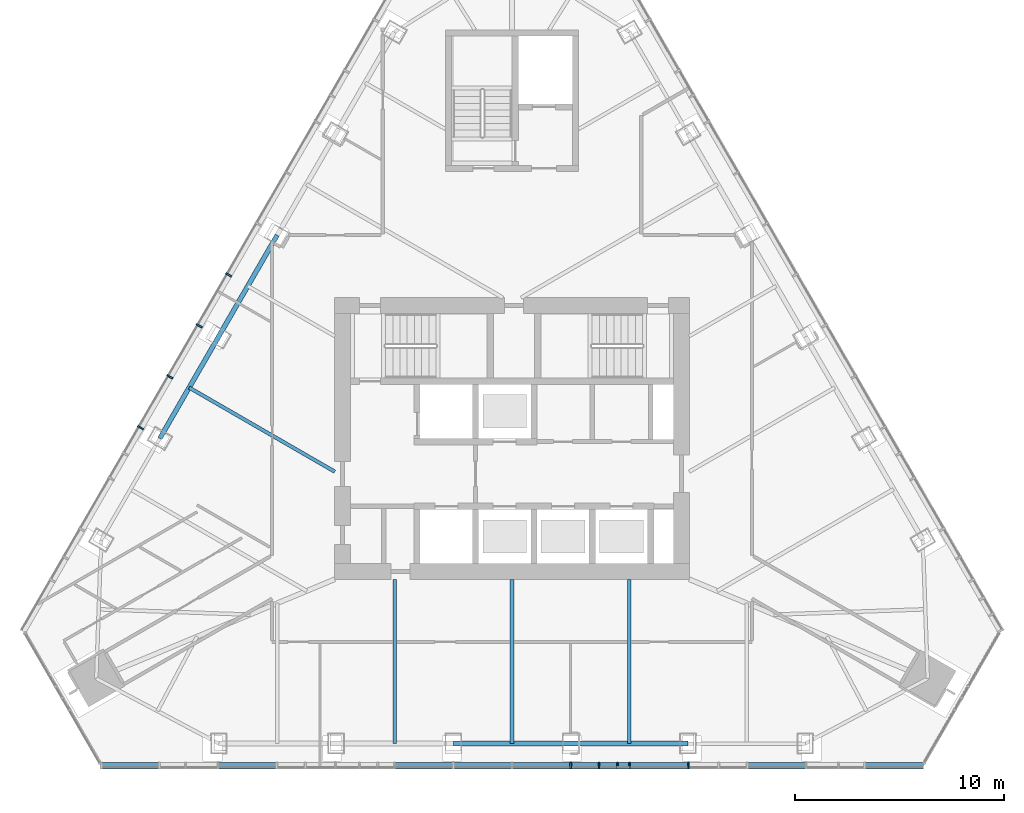
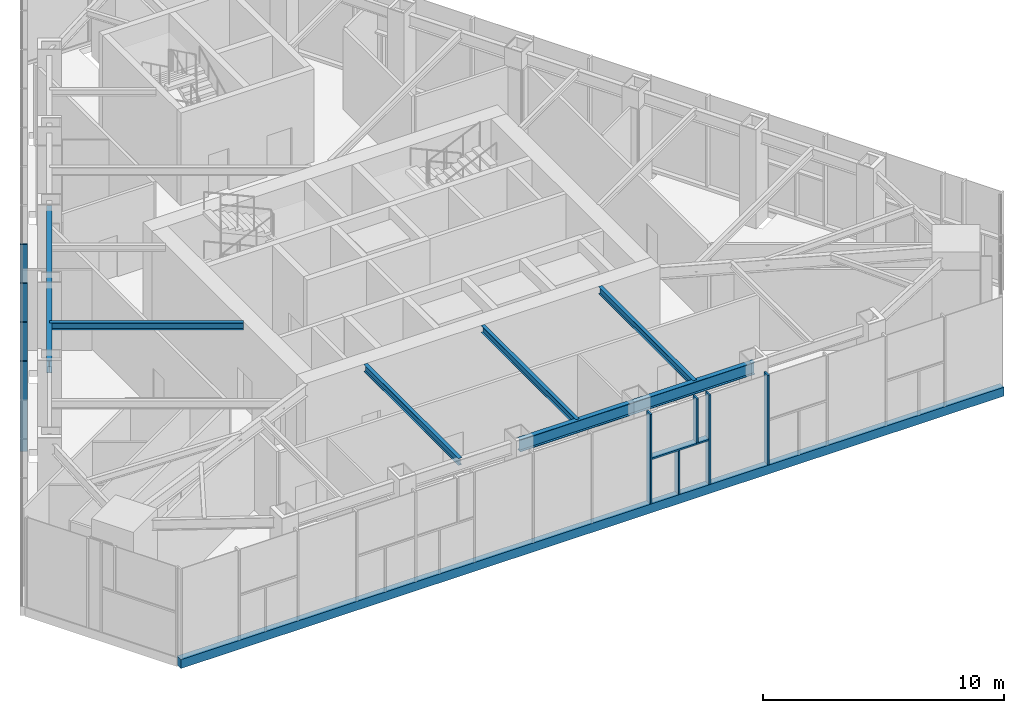
# One storey, part 3 of 17: 11 members, 6 beams, 2 elements without a shape of their own.
"""IFC4 building model written with IfcOpenShell, lengths in metres."""

import ifcopenshell
import ifcopenshell.guid

model = None  # the IFC model being written
_history = None  # IfcOwnerHistory: only IFC2X3 demands one
_inside = {}  # id of a spatial element -> (the spatial element, [elements in it])
_under = {}  # id of a project, library or spatial element -> (it, [spatial elements below it])
_declared = {}  # id of a project -> (the project, [libraries it declares])
_typed = {}  # id of a type object -> (the type object, [elements of that type])
_made_of = {}  # id of a material, layer set ... -> (it, [elements and type objects made of it])


def new_model(schema):
    """Start an empty IFC model of exactly this schema.

    Asked for "IFC4X3", IfcOpenShell would pick the latest addendum, in which some entities
    have other attributes; the version numbers below select the first issue.
    IFC2X3 requires an IfcOwnerHistory on every rooted entity: one is made here for all.
    """
    global model, _history
    if schema == "IFC4X3":
        model = ifcopenshell.file(schema_version=(4, 3, 0, 0))
    else:
        model = ifcopenshell.file(schema=schema)
    _inside.clear()
    _under.clear()
    _declared.clear()
    _typed.clear()
    _made_of.clear()
    _history = None
    if model.schema == "IFC2X3":
        org = make("IfcOrganization", Name="unknown")
        user = make(
            "IfcPersonAndOrganization",
            ThePerson=make("IfcPerson", FamilyName="unknown"),
            TheOrganization=org,
        )
        app = make(
            "IfcApplication",
            ApplicationDeveloper=org,
            Version="unknown",
            ApplicationFullName="unknown",
            ApplicationIdentifier="unknown",
        )
        _history = make(
            "IfcOwnerHistory",
            OwningUser=user,
            OwningApplication=app,
            ChangeAction="ADDED",
            CreationDate=0,
        )
    return model


def make(cls, **values):
    """One entity of the class cls with the attributes given. An attribute that is None is left unset."""
    return model.create_entity(
        cls, **{name: value for name, value in values.items() if value is not None}
    )


def rooted(cls, **values):
    """An entity with a GlobalId (a new one), such as an element, a storey or a relation."""
    return make(cls, GlobalId=ifcopenshell.guid.new(), OwnerHistory=_history, **values)


def si_unit(unit_type, name, prefix=None):
    """IfcSIUnit, for example si_unit("LENGTHUNIT", "METRE", prefix="MILLI")."""
    return make("IfcSIUnit", UnitType=unit_type, Prefix=prefix, Name=name)


def assignment(units):
    """IfcUnitAssignment: the units of a project."""
    return None if units is None else make("IfcUnitAssignment", Units=units)


def point(xyz):
    """IfcCartesianPoint."""
    return None if xyz is None else make("IfcCartesianPoint", Coordinates=xyz)


def direction(xyz):
    """IfcDirection."""
    return None if xyz is None else make("IfcDirection", DirectionRatios=xyz)


def frame(location, z_axis=None, x_axis=None):
    """IfcAxis2Placement3D, a coordinate frame: its origin and axes. An axis left out is left unset."""
    return make(
        "IfcAxis2Placement3D",
        Location=point(location),
        Axis=direction(z_axis),
        RefDirection=direction(x_axis),
    )


def frame_2d(location, x_axis=None):
    """IfcAxis2Placement2D, a coordinate frame in the plane: its origin and x axis."""
    return make(
        "IfcAxis2Placement2D", Location=point(location), RefDirection=direction(x_axis)
    )


def origin():
    """The frame at (0, 0, 0) with its axes left unset."""
    return frame((0.0, 0.0, 0.0))


def origin_2d():
    """The frame at (0, 0) in the plane with its x axis left unset."""
    return frame_2d((0.0, 0.0))


def place(relative_to, where):
    """IfcLocalPlacement: puts the frame where relative to a parent placement (None: the world)."""
    return make(
        "IfcLocalPlacement", PlacementRelTo=relative_to, RelativePlacement=where
    )


def context(
    kind, dimensions, precision=None, world=None, true_north=None, identifier=None
):
    """IfcGeometricRepresentationContext, for example the 3D "Model" context."""
    return make(
        "IfcGeometricRepresentationContext",
        ContextIdentifier=identifier,
        ContextType=kind,
        CoordinateSpaceDimension=dimensions,
        Precision=precision,
        WorldCoordinateSystem=world,
        TrueNorth=true_north,
    )


def subcontext(parent, identifier, kind, view, scale=None):
    """IfcGeometricRepresentationSubContext, for example "Body" below "Model"."""
    return make(
        "IfcGeometricRepresentationSubContext",
        ContextIdentifier=identifier,
        ContextType=kind,
        ParentContext=parent,
        TargetScale=scale,
        TargetView=view,
    )


def project(units=None, contexts=None):
    """IfcProject with its units and contexts."""
    return rooted(
        "IfcProject",
        Name="project",
        RepresentationContexts=contexts,
        UnitsInContext=assignment(units),
    )


def spatial(cls, under=None, at=None, **own):
    """A site, building, storey or space (cls), placed at a placement, below another one or the project."""
    s = rooted(cls, ObjectPlacement=at, **own)
    if under is not None:
        _under.setdefault(under.id(), (under, []))[1].append(s)
    return s


def profile(cls, at=None, kind="AREA", **sizes):
    """A parametric profile (cls). Its sizes go by their IFC names, for example OverallWidth=200.0."""
    return make(cls, ProfileType=kind, Position=at, **sizes)


def rectangle(**sizes):
    """IfcRectangleProfileDef."""
    return profile("IfcRectangleProfileDef", **sizes)


def i_section(**sizes):
    """IfcIShapeProfileDef."""
    return profile("IfcIShapeProfileDef", **sizes)


def extrude(swept, where, along, depth):
    """IfcExtrudedAreaSolid: the profile swept, set in the frame where, extruded along a direction by depth."""
    return make(
        "IfcExtrudedAreaSolid",
        SweptArea=swept,
        Position=where,
        ExtrudedDirection=direction(along),
        Depth=depth,
    )


def shape(context_of_items, identifier, shape_type, items):
    """IfcShapeRepresentation: the items that make up one representation, for example the "Body"."""
    return make(
        "IfcShapeRepresentation",
        ContextOfItems=context_of_items,
        RepresentationIdentifier=identifier,
        RepresentationType=shape_type,
        Items=items,
    )


def material(Name=None, Category=None):
    """IfcMaterial."""
    return make("IfcMaterial", Name=Name, Category=Category)


def layer(
    of_material, thickness, ventilated=None, Name=None, Category=None, Priority=None
):
    """IfcMaterialLayer: one layer of a wall or slab, of a material (None: an air gap)."""
    return make(
        "IfcMaterialLayer",
        Material=of_material,
        LayerThickness=thickness,
        IsVentilated=ventilated,
        Name=Name,
        Category=Category,
        Priority=Priority,
    )


def layer_set(layers, Name=None):
    """IfcMaterialLayerSet."""
    return make("IfcMaterialLayerSet", MaterialLayers=layers, LayerSetName=Name)


def material_profile(
    of_material, cross_section, Name=None, Category=None, Priority=None
):
    """IfcMaterialProfile: a cross section and its material."""
    return make(
        "IfcMaterialProfile",
        Name=Name,
        Material=of_material,
        Profile=cross_section,
        Priority=Priority,
        Category=Category,
    )


def profile_set(profiles, Name=None, composite=None):
    """IfcMaterialProfileSet."""
    return make(
        "IfcMaterialProfileSet",
        Name=Name,
        MaterialProfiles=profiles,
        CompositeProfile=composite,
    )


def made_of(thing, what):
    """Note that an element or type object is made of a material, layer set ...; save() writes the relation."""
    if what is not None:
        _made_of.setdefault(what.id(), (what, []))[1].append(thing)
    return thing


def type_object(cls, material=None, **own):
    """A type object (cls), such as IfcWallType, which elements share."""
    return made_of(rooted(cls, **own), material)


def element(
    cls,
    number,
    at=None,
    inside=None,
    cuts=None,
    type_object=None,
    material=None,
    context=None,
    identifier="Body",
    shape_type=None,
    held_by="IfcProductDefinitionShape",
    body=None,
    shapes=None,
    **own,
):
    """One element of the class cls, such as IfcWall. Its Tag is "e" and its number.

    at: its placement. inside: the storey or other place that contains it. cuts: it is an
    opening in that element (IfcRelVoidsElement). A single representation is given by context,
    identifier, shape_type and body (its items); several are given by shapes. held_by: the class
    of the entity that holds the representations. save() writes the other relations.
    """
    e = rooted(cls, Tag="e%d" % number, ObjectPlacement=at, **own)
    if body is not None:
        shapes = [shape(context, identifier, shape_type, body)]
    if shapes is not None:
        e.Representation = make(held_by, Representations=shapes)
    if inside is not None:
        _inside.setdefault(inside.id(), (inside, []))[1].append(e)
    if cuts is not None:
        rooted(
            "IfcRelVoidsElement", RelatingBuildingElement=cuts, RelatedOpeningElement=e
        )
    if type_object is not None:
        _typed.setdefault(type_object.id(), (type_object, []))[1].append(e)
    return made_of(e, material)


def aggregate(whole, parts):
    """IfcRelAggregates: a whole, such as a stair, and the parts it consists of."""
    return rooted("IfcRelAggregates", RelatingObject=whole, RelatedObjects=parts)


def save(model, path):
    """Write the relations noted so far, then the file.

    IfcRelAggregates (storeys below a building ...), IfcRelContainedInSpatialStructure (elements
    in a storey), IfcRelDefinesByType, IfcRelAssociatesMaterial and IfcRelDeclares: one each for
    every whole, place, type object, material and project.
    """
    for whole, parts in _under.values():
        aggregate(whole, parts)
    for where, things in _inside.values():
        rooted(
            "IfcRelContainedInSpatialStructure",
            RelatedElements=things,
            RelatingStructure=where,
        )
    for kind, things in _typed.values():
        rooted("IfcRelDefinesByType", RelatedObjects=things, RelatingType=kind)
    for what, things in _made_of.values():
        rooted("IfcRelAssociatesMaterial", RelatedObjects=things, RelatingMaterial=what)
    for by, libraries in _declared.values():
        rooted("IfcRelDeclares", RelatingContext=by, RelatedDefinitions=libraries)
    model.write(path)


model = new_model("IFC4")

# Units and contexts
model_context = context("Model", 3, precision=1e-05, world=origin(), true_north=direction((0.0, 1.0)))
body_context = subcontext(model_context, "Body", "Model", "MODEL_VIEW")
ifc_project = project(units=[si_unit("LENGTHUNIT", "METRE"), si_unit("AREAUNIT", "SQUARE_METRE"), si_unit("VOLUMEUNIT", "CUBIC_METRE"), si_unit("PLANEANGLEUNIT", "RADIAN"), si_unit("MASSUNIT", "GRAM", prefix="KILO")], contexts=[model_context])

# Site, building, storey
site_placement = place(None, origin())
site = spatial("IfcSite", under=ifc_project, at=site_placement, CompositionType="ELEMENT")
building_placement = place(site_placement, origin())
building = spatial("IfcBuilding", under=site, at=building_placement, Name="Firuza Gate Tower and Library", CompositionType="ELEMENT")
storey_placement = place(building_placement, frame((0.0, 0.0, 326.60009765625)))
storey = spatial("IfcBuildingStorey", under=building, at=storey_placement, Name="L80", CompositionType="ELEMENT", Elevation=326.60009765625)

# Curtain wall, members
ifc_material_1 = material(Name="Aluminium 6063-T6", Category="aluminium")
ifc_layer = layer(ifc_material_1, 0.14990234375)
ifc_layer_set = layer_set([ifc_layer], Name="Unitised curtain wall, residences")
curtain_wall_type = type_object("IfcCurtainWallType", Name="Unitised curtain wall, residences", PredefinedType="NOTDEFINED", material=ifc_layer_set)
placement = place(storey_placement, origin())
curtain_wall_1 = element("IfcCurtainWall", 1, at=placement, inside=storey, type_object=curtain_wall_type, Name="CW3 L80 S face", PredefinedType="NOTDEFINED")
ifc_material_2 = material(Name="Aluminium 6063-T6", Category="aluminium")
ifc_material_profile_1 = material_profile(ifc_material_2, rectangle(XDim=0.320068359375, YDim=0.080078125, at=origin_2d()))
ifc_profile_set_1 = profile_set([ifc_material_profile_1], Name="Aluminium 6063-T6")
member_type_1 = type_object("IfcMemberType", Name="Curtain wall mullion 80x320", PredefinedType="MULLION", material=ifc_profile_set_1)
member_1_placement = place(storey_placement, frame((77.819580078125, 59.313232421875, 0.14990234375), z_axis=(0.0, 0.0, 1.0), x_axis=(0.0, 1.0, 0.0)))
member_1 = element("IfcMember", 2, at=member_1_placement, type_object=member_type_1, Name="Mullion", PredefinedType="MULLION", context=body_context, shape_type="SweptSolid", body=[
    extrude(rectangle(XDim=0.320068359375, YDim=0.080078125, at=origin_2d()), origin(), (0.0, 0.0, 1.0), 4.550048828125),
])
member_2_placement = place(storey_placement, frame((80.638916015625, 59.313232421875, 0.14990234375), z_axis=(0.0, 0.0, 1.0), x_axis=(0.0, 1.0, 0.0)))
member_2 = element("IfcMember", 3, at=member_2_placement, type_object=member_type_1, Name="Mullion", PredefinedType="MULLION", context=body_context, shape_type="SweptSolid", body=[
    extrude(rectangle(XDim=0.320068359375, YDim=0.080078125, at=origin_2d()), origin(), (0.0, 0.0, 1.0), 4.550048828125),
])
member_3_placement = place(storey_placement, frame((83.45849609375, 59.313232421875, 0.14990234375), z_axis=(0.0, 0.0, 1.0), x_axis=(0.0, 1.0, 0.0)))
member_3 = element("IfcMember", 4, at=member_3_placement, type_object=member_type_1, Name="Mullion", PredefinedType="MULLION", context=body_context, shape_type="SweptSolid", body=[
    extrude(rectangle(XDim=0.320068359375, YDim=0.080078125, at=origin_2d()), origin(), (0.0, 0.0, 1.0), 4.550048828125),
])
member_4_placement = place(storey_placement, frame((79.171630859375, 59.313232421875, 0.14990234375), z_axis=(0.0, 0.0, 1.0), x_axis=(0.0, 1.0, 0.0)))
member_4 = element("IfcMember", 5, at=member_4_placement, type_object=member_type_1, Name="Mullion", PredefinedType="MULLION", context=body_context, shape_type="SweptSolid", body=[
    extrude(rectangle(XDim=0.320068359375, YDim=0.080078125, at=origin_2d()), origin(), (0.0, 0.0, 1.0), 2.235107421875),
])
member_5_placement = place(storey_placement, frame((80.052490234375, 59.313232421875, 2.46484375), z_axis=(0.0, 0.0, 1.0), x_axis=(0.0, 1.0, 0.0)))
member_5 = element("IfcMember", 6, at=member_5_placement, type_object=member_type_1, Name="Mullion", PredefinedType="MULLION", context=body_context, shape_type="SweptSolid", body=[
    extrude(rectangle(XDim=0.320068359375, YDim=0.080078125, at=origin_2d()), origin(), (0.0, 0.0, 1.0), 2.235107421875),
])

curtain_wall_2 = element("IfcCurtainWall", 7, at=placement, inside=storey, type_object=curtain_wall_type, Name="CW3 L80 W face", PredefinedType="NOTDEFINED")
member_6_placement = place(storey_placement, frame((61.414794921875, 82.843505859375, 0.14990234375), z_axis=(0.0, 0.0, 1.0), x_axis=(0.866025403784, -0.5, 0.0)))
member_6 = element("IfcMember", 8, at=member_6_placement, type_object=member_type_1, Name="Mullion", PredefinedType="MULLION", context=body_context, shape_type="SweptSolid", body=[
    extrude(rectangle(XDim=0.320068359375, YDim=0.080078125, at=origin_2d()), origin(), (0.0, 0.0, 1.0), 4.550048828125),
])
member_7_placement = place(storey_placement, frame((60.005126953125, 80.401611328125, 0.14990234375), z_axis=(0.0, 0.0, 1.0), x_axis=(0.866025403784, -0.5, 0.0)))
member_7 = element("IfcMember", 9, at=member_7_placement, type_object=member_type_1, Name="Mullion", PredefinedType="MULLION", context=body_context, shape_type="SweptSolid", body=[
    extrude(rectangle(XDim=0.320068359375, YDim=0.080078125, at=origin_2d()), origin(), (0.0, 0.0, 1.0), 4.550048828125),
])
member_8_placement = place(storey_placement, frame((58.59521484375, 77.9599609375, 0.14990234375), z_axis=(0.0, 0.0, 1.0), x_axis=(0.866025403784, -0.5, 0.0)))
member_8 = element("IfcMember", 10, at=member_8_placement, type_object=member_type_1, Name="Mullion", PredefinedType="MULLION", context=body_context, shape_type="SweptSolid", body=[
    extrude(rectangle(XDim=0.320068359375, YDim=0.080078125, at=origin_2d()), origin(), (0.0, 0.0, 1.0), 4.550048828125),
])
member_9_placement = place(storey_placement, frame((57.185546875, 75.51806640625, 0.14990234375), z_axis=(0.0, 0.0, 1.0), x_axis=(0.866025403784, -0.5, 0.0)))
member_9 = element("IfcMember", 11, at=member_9_placement, type_object=member_type_1, Name="Mullion", PredefinedType="MULLION", context=body_context, shape_type="SweptSolid", body=[
    extrude(rectangle(XDim=0.320068359375, YDim=0.080078125, at=origin_2d()), origin(), (0.0, 0.0, 1.0), 4.550048828125),
])
aggregate(curtain_wall_2, [member_6, member_7, member_8, member_9])

# Member
ifc_material_3 = material(Name="Aluminium 6063-T6", Category="aluminium")
ifc_material_profile_2 = material_profile(ifc_material_3, rectangle(XDim=0.320068359375, YDim=0.449951171875, at=origin_2d()))
ifc_profile_set_2 = profile_set([ifc_material_profile_2], Name="Aluminium 6063-T6")
member_type_2 = type_object("IfcMemberType", Name="Curtain wall transom 450x320", PredefinedType="USERDEFINED", material=ifc_profile_set_2)
member_10_placement = place(storey_placement, frame((55.263427734375, 59.313232421875, -0.0751953125), z_axis=(1.0, 0.0, 0.0), x_axis=(0.0, 1.0, 0.0)))
member_10 = element("IfcMember", 12, at=member_10_placement, type_object=member_type_2, Name="Transom", ObjectType="TRANSOM", PredefinedType="USERDEFINED", context=body_context, shape_type="SweptSolid", body=[
    extrude(rectangle(XDim=0.320068359375, YDim=0.449951171875, at=origin_2d()), origin(), (0.0, 0.0, 1.0), 39.47314453125),
])

ifc_material_4 = material(Name="Aluminium 6063-T6", Category="aluminium")
ifc_material_profile_3 = material_profile(ifc_material_4, rectangle(XDim=0.320068359375, YDim=0.080078125, at=origin_2d()))
ifc_profile_set_3 = profile_set([ifc_material_profile_3], Name="Aluminium 6063-T6")
member_type_3 = type_object("IfcMemberType", Name="Curtain wall transom 80x320", PredefinedType="USERDEFINED", material=ifc_profile_set_3)
member_11_placement = place(storey_placement, frame((77.859619140625, 59.313232421875, 2.4248046875), z_axis=(1.0, 0.0, 0.0), x_axis=(0.0, 1.0, 0.0)))
member_11 = element("IfcMember", 13, at=member_11_placement, type_object=member_type_3, Name="Transom", ObjectType="TRANSOM", PredefinedType="USERDEFINED", context=body_context, shape_type="SweptSolid", body=[
    extrude(rectangle(XDim=0.320068359375, YDim=0.080078125, at=origin_2d()), origin(), (0.0, 0.0, 1.0), 2.739501953125),
])

aggregate(curtain_wall_1, [member_1, member_2, member_3, member_10, member_4, member_5, member_11])

# Beams
ifc_material_5 = material(Name="Steel S355", Category="steel")
ifc_material_profile_4 = material_profile(ifc_material_5, i_section(OverallWidth=0.1708984375, OverallDepth=0.35498046875, WebThickness=0.007080078125, FlangeThickness=0.01171875, at=origin_2d()))
ifc_profile_set_4 = profile_set([ifc_material_profile_4], Name="Steel S355")
beam_type_1 = type_object("IfcBeamType", Name="W360x51 Floor beam", PredefinedType="JOIST", material=ifc_profile_set_4)
for number, where, z_axis, x_axis, name in (
    (14, (69.373291015625, 60.373046875, 4.5224609375), (0.0, 1.0, 0.0), (-1.0, 0.0, 0.0), "Floor beam L80 s21"),
    (15, (75.0, 60.373046875, 4.5224609375), (0.0, 1.0, 0.0), (-1.0, 0.0, 0.0), "Floor beam L80 s22"),
    (16, (80.626708984375, 60.373046875, 4.5224609375), (0.0, 1.0, 0.0), (-1.0, 0.0, 0.0), "Floor beam L80 s23"),
):
    element("IfcBeam", number, at=place(storey_placement, frame(where, z_axis=z_axis, x_axis=x_axis)), inside=storey, type_object=beam_type_1, Name=name, PredefinedType="JOIST", context=body_context, shape_type="SweptSolid", body=[
        extrude(i_section(OverallWidth=0.1708984375, OverallDepth=0.35498046875, WebThickness=0.007080078125, FlangeThickness=0.01171875, at=origin_2d()), origin(), (0.0, 0.0, 1.0), 7.876953125),
    ])
beam_1_placement = place(storey_placement, frame((59.51953125, 77.440673828125, 4.5224609375), z_axis=(0.866020143075, -0.500009111705, 0.0), x_axis=(0.500009111705, 0.866020143075, 0.0)))
element("IfcBeam", 17, at=beam_1_placement, inside=storey, type_object=beam_type_1, Name="Floor beam L80 s83", PredefinedType="JOIST", context=body_context, shape_type="SweptSolid", body=[
    extrude(i_section(OverallWidth=0.1708984375, OverallDepth=0.35498046875, WebThickness=0.007080078125, FlangeThickness=0.01171875, at=origin_2d()), origin(), (0.0, 0.0, 1.0), 8.060302734375),
])
ifc_material_6 = material(Name="Steel S355", Category="steel")
ifc_material_profile_5 = material_profile(ifc_material_6, i_section(OverallWidth=0.22900390625, OverallDepth=0.612060546875, WebThickness=0.011962890625, FlangeThickness=0.01953125, at=origin_2d()))
ifc_profile_set_5 = profile_set([ifc_material_profile_5], Name="Steel S355")
beam_type_2 = type_object("IfcBeamType", Name="W610x125 Edge beam", PredefinedType="SPANDREL", material=ifc_profile_set_5)
beam_2_placement = place(storey_placement, frame((72.186767578125, 60.373046875, 4.393798828125), z_axis=(1.0, 0.0, 0.0), x_axis=(0.0, 1.0, 0.0)))
element("IfcBeam", 18, at=beam_2_placement, inside=storey, type_object=beam_type_2, Name="Edge beam L80 e22", PredefinedType="SPANDREL", context=body_context, shape_type="SweptSolid", body=[
    extrude(i_section(OverallWidth=0.22900390625, OverallDepth=0.612060546875, WebThickness=0.011962890625, FlangeThickness=0.01953125, at=origin_2d()), origin(), (0.0, 0.0, 1.0), 11.253173828125),
])
beam_3_placement = place(storey_placement, frame((63.739501953125, 84.749755859375, 4.393798828125), z_axis=(-0.500005401313, -0.866022285313, 0.0), x_axis=(0.866022285313, -0.500005401313, 0.0)))
element("IfcBeam", 19, at=beam_3_placement, inside=storey, type_object=beam_type_2, Name="Edge beam L80 e82", PredefinedType="SPANDREL", context=body_context, shape_type="SweptSolid", body=[
    extrude(i_section(OverallWidth=0.22900390625, OverallDepth=0.612060546875, WebThickness=0.011962890625, FlangeThickness=0.01953125, at=origin_2d()), origin(), (0.0, 0.0, 1.0), 11.25341796875),
])

save(model, "model.ifc")
